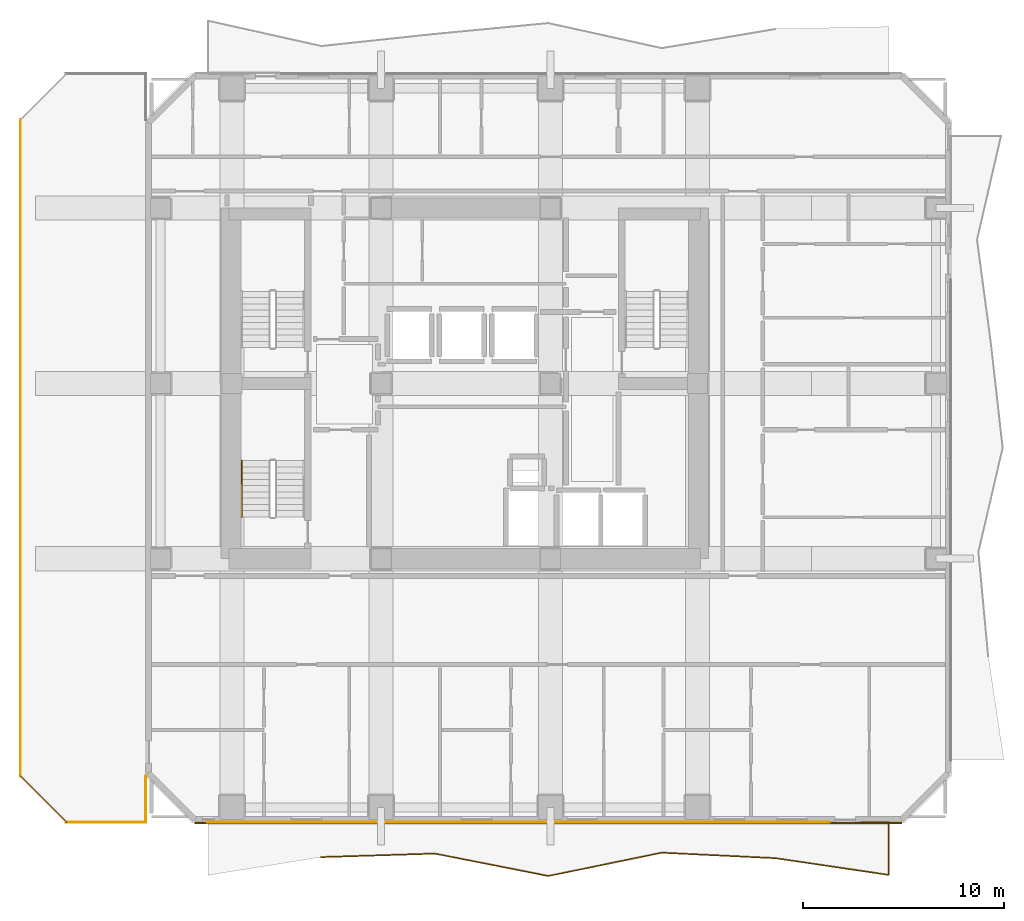
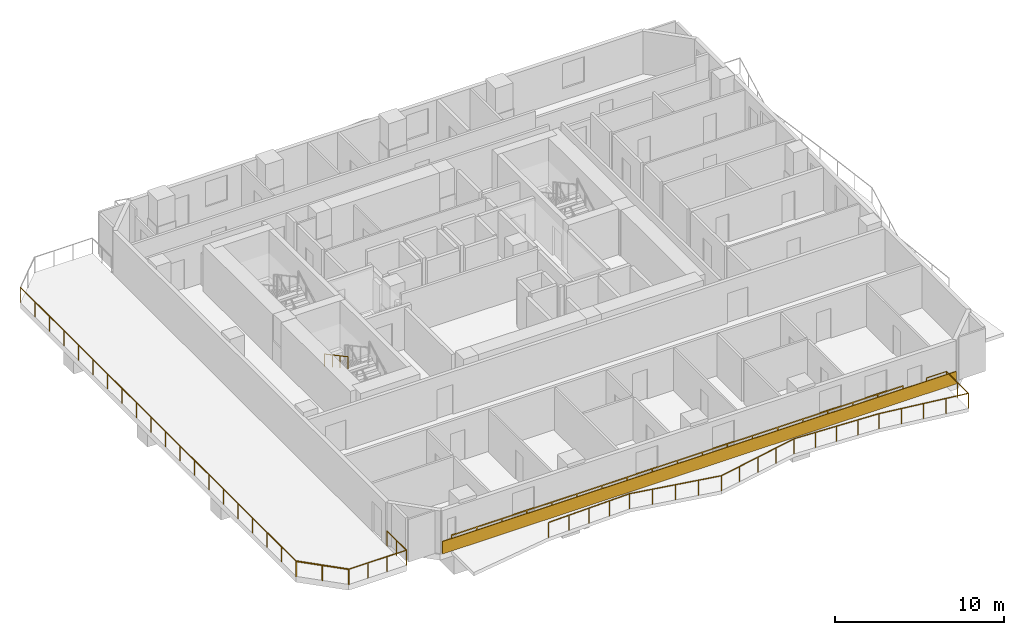
# One storey, part 8 of 10: 7 railings, 1 covering.
"""IFC4 building model written with IfcOpenShell, lengths in metres."""

from ifc_helpers import new_model, si_unit, direction, frame, frame_2d, origin, origin_2d, place, context, subcontext, project, spatial, rectangle, extrude, material, layer, layer_set, type_object, element, save


model = new_model("IFC4")

# Units and contexts
model_context = context("Model", 3, precision=1e-05, world=origin(), true_north=direction((0.0, 1.0)))
body_context = subcontext(model_context, "Body", "Model", "MODEL_VIEW")
ifc_project = project(units=[si_unit("LENGTHUNIT", "METRE"), si_unit("AREAUNIT", "SQUARE_METRE"), si_unit("VOLUMEUNIT", "CUBIC_METRE"), si_unit("PLANEANGLEUNIT", "RADIAN"), si_unit("MASSUNIT", "GRAM", prefix="KILO")], contexts=[model_context])

# Site, building, storey
site_placement = place(None, origin())
site = spatial("IfcSite", under=ifc_project, at=site_placement, CompositionType="ELEMENT")
building_placement = place(site_placement, origin())
building = spatial("IfcBuilding", under=site, at=building_placement, Name="Solanera Arch Residences", CompositionType="ELEMENT")
storey_placement = place(building_placement, frame((0.0, 0.0, 126.0)))
storey = spatial("IfcBuildingStorey", under=building, at=storey_placement, Name="L36", CompositionType="ELEMENT", Elevation=126.0)

# Railings
ifc_material_1 = material(Name="Steel S355 (ASTM A992 / A572 Grade 50)", Category="steel")
railing_type_1 = type_object("IfcRailingType", Name="Balustrade Railing BL-1100", PredefinedType="BALUSTRADE", material=ifc_material_1)
railing_1_placement = place(storey_placement, frame((17.8330078125, 7.18798828125, 0.0)))
element("IfcRailing", 1, at=railing_1_placement, inside=storey, type_object=railing_type_1, Name="L36 S Balcony Balustrade 1", PredefinedType="BALUSTRADE", context=body_context, shape_type="SweptSolid", body=[
    extrude(rectangle(XDim=0.048095703125, YDim=0.048095703125, at=origin_2d()), frame((0.0, 0.0, 1.09619140625), z_axis=(0.999523042626, 0.030881827334, 0.0), x_axis=(-0.030881827334, 0.999523042626, 0.0)), (0.0, 0.0, 1.0), 5.63671875),
    extrude(rectangle(XDim=0.048095703125, YDim=0.048095703125, at=origin_2d()), frame((5.634033203125, 0.174072265625, 1.09619140625), z_axis=(0.9810972978, -0.193515095665, 0.0), x_axis=(0.193515095665, 0.9810972978, 0.0)), (0.0, 0.0, 1.0), 5.74169921875),
    extrude(rectangle(XDim=0.048095703125, YDim=0.048095703125, at=origin_2d()), frame((11.26708984375, -0.93701171875, 1.09619140625), z_axis=(0.979583623756, 0.20103712112, 0.0), x_axis=(-0.20103712112, 0.979583623756, 0.0)), (0.0, 0.0, 1.0), 5.750244140625),
    extrude(rectangle(XDim=0.048095703125, YDim=0.048095703125, at=origin_2d()), frame((16.89990234375, 0.218994140625, 1.09619140625), z_axis=(0.998836882826, -0.048217025067, 0.0), x_axis=(0.048217025067, 0.998836882826, 0.0)), (0.0, 0.0, 1.0), 5.640625),
    extrude(rectangle(XDim=0.048095703125, YDim=0.048095703125, at=origin_2d()), frame((22.533935546875, -0.052978515625, 1.09619140625), z_axis=(0.989291682987, -0.145951930347, 0.0), x_axis=(0.145951930347, 0.989291682987, 0.0)), (0.0, 0.0, 1.0), 5.694091796875),
    extrude(rectangle(XDim=0.048095703125, YDim=0.048095703125, at=origin_2d()), frame((28.1669921875, -0.884033203125, 1.09619140625), z_axis=(0.0, 1.0, 0.0), x_axis=(-1.0, 0.0, 0.0)), (0.0, 0.0, 1.0), 2.615966796875),
    extrude(rectangle(XDim=0.048095703125, YDim=0.048095703125, at=origin_2d()), frame((28.1669921875, 1.73193359375, 1.09619140625), z_axis=(-1.0, 0.0, 0.0), x_axis=(0.0, -1.0, 0.0)), (0.0, 0.0, 1.0), 1.362060546875),
    extrude(rectangle(XDim=0.0419921875, YDim=0.0419921875, at=origin_2d()), origin(), (0.0, 0.0, 1.0), 1.072021484375),
    extrude(rectangle(XDim=0.0419921875, YDim=0.0419921875, at=origin_2d()), frame((1.408447265625, 0.04345703125, 0.0)), (0.0, 0.0, 1.0), 1.072021484375),
    extrude(rectangle(XDim=0.0419921875, YDim=0.0419921875, at=origin_2d()), frame((2.81689453125, 0.0869140625, 0.0)), (0.0, 0.0, 1.0), 1.072021484375),
    extrude(rectangle(XDim=0.0419921875, YDim=0.0419921875, at=origin_2d()), frame((4.2255859375, 0.130615234375, 0.0)), (0.0, 0.0, 1.0), 1.072021484375),
    extrude(rectangle(XDim=0.0419921875, YDim=0.0419921875, at=origin_2d()), frame((5.634033203125, 0.174072265625, 0.0)), (0.0, 0.0, 1.0), 1.072021484375),
    extrude(rectangle(XDim=0.0419921875, YDim=0.0419921875, at=origin_2d()), frame((7.042236328125, -0.103759765625, 0.0)), (0.0, 0.0, 1.0), 1.072021484375),
    extrude(rectangle(XDim=0.0419921875, YDim=0.0419921875, at=origin_2d()), frame((8.45068359375, -0.38134765625, 0.0)), (0.0, 0.0, 1.0), 1.072021484375),
    extrude(rectangle(XDim=0.0419921875, YDim=0.0419921875, at=origin_2d()), frame((9.85888671875, -0.6591796875, 0.0)), (0.0, 0.0, 1.0), 1.072021484375),
    extrude(rectangle(XDim=0.0419921875, YDim=0.0419921875, at=origin_2d()), frame((11.26708984375, -0.93701171875, 0.0)), (0.0, 0.0, 1.0), 1.072021484375),
    extrude(rectangle(XDim=0.0419921875, YDim=0.0419921875, at=origin_2d()), frame((12.67529296875, -0.64794921875, 0.0)), (0.0, 0.0, 1.0), 1.072021484375),
    extrude(rectangle(XDim=0.0419921875, YDim=0.0419921875, at=origin_2d()), frame((14.08349609375, -0.35888671875, 0.0)), (0.0, 0.0, 1.0), 1.072021484375),
    extrude(rectangle(XDim=0.0419921875, YDim=0.0419921875, at=origin_2d()), frame((15.49169921875, -0.070068359375, 0.0)), (0.0, 0.0, 1.0), 1.072021484375),
    extrude(rectangle(XDim=0.0419921875, YDim=0.0419921875, at=origin_2d()), frame((16.89990234375, 0.218994140625, 0.0)), (0.0, 0.0, 1.0), 1.072021484375),
    extrude(rectangle(XDim=0.0419921875, YDim=0.0419921875, at=origin_2d()), frame((18.308349609375, 0.15087890625, 0.0)), (0.0, 0.0, 1.0), 1.072021484375),
    extrude(rectangle(XDim=0.0419921875, YDim=0.0419921875, at=origin_2d()), frame((19.716796875, 0.0830078125, 0.0)), (0.0, 0.0, 1.0), 1.072021484375),
    extrude(rectangle(XDim=0.0419921875, YDim=0.0419921875, at=origin_2d()), frame((21.12548828125, 0.01513671875, 0.0)), (0.0, 0.0, 1.0), 1.072021484375),
    extrude(rectangle(XDim=0.0419921875, YDim=0.0419921875, at=origin_2d()), frame((22.533935546875, -0.052978515625, 0.0)), (0.0, 0.0, 1.0), 1.072021484375),
    extrude(rectangle(XDim=0.0419921875, YDim=0.0419921875, at=origin_2d()), frame((23.942138671875, -0.2607421875, 0.0)), (0.0, 0.0, 1.0), 1.072021484375),
    extrude(rectangle(XDim=0.0419921875, YDim=0.0419921875, at=origin_2d()), frame((25.3505859375, -0.468505859375, 0.0)), (0.0, 0.0, 1.0), 1.072021484375),
    extrude(rectangle(XDim=0.0419921875, YDim=0.0419921875, at=origin_2d()), frame((26.7587890625, -0.67626953125, 0.0)), (0.0, 0.0, 1.0), 1.072021484375),
    extrude(rectangle(XDim=0.0419921875, YDim=0.0419921875, at=origin_2d()), frame((28.1669921875, -0.884033203125, 0.0)), (0.0, 0.0, 1.0), 1.072021484375),
    extrude(rectangle(XDim=0.0419921875, YDim=0.0419921875, at=origin_2d()), frame((28.1669921875, 0.423828125, 0.0)), (0.0, 0.0, 1.0), 1.072021484375),
    extrude(rectangle(XDim=0.0419921875, YDim=0.0419921875, at=origin_2d()), frame((28.1669921875, 1.73193359375, 0.0)), (0.0, 0.0, 1.0), 1.072021484375),
    extrude(rectangle(XDim=0.0419921875, YDim=0.0419921875, at=origin_2d()), frame((26.804931640625, 1.73193359375, 0.0)), (0.0, 0.0, 1.0), 1.072021484375),
])
railing_2_placement = place(storey_placement, frame((43.0380859375, 8.919921875, 0.0)))
element("IfcRailing", 2, at=railing_2_placement, inside=storey, type_object=railing_type_1, Name="L36 S Balcony Balustrade 2", PredefinedType="BALUSTRADE", context=body_context, shape_type="SweptSolid", body=[
    extrude(rectangle(XDim=0.048095703125, YDim=0.048095703125, at=origin_2d()), frame((0.0, 0.0, 1.09619140625), z_axis=(-1.0, 0.0, 0.0), x_axis=(0.0, -1.0, 0.0)), (0.0, 0.0, 1.0), 30.838134765625),
    extrude(rectangle(XDim=0.0419921875, YDim=0.0419921875, at=origin_2d()), origin(), (0.0, 0.0, 1.0), 1.072021484375),
    extrude(rectangle(XDim=0.0419921875, YDim=0.0419921875, at=origin_2d()), frame((-1.713134765625, 0.0, 0.0)), (0.0, 0.0, 1.0), 1.072021484375),
    extrude(rectangle(XDim=0.0419921875, YDim=0.0419921875, at=origin_2d()), frame((-3.426513671875, 0.0, 0.0)), (0.0, 0.0, 1.0), 1.072021484375),
    extrude(rectangle(XDim=0.0419921875, YDim=0.0419921875, at=origin_2d()), frame((-5.1396484375, 0.0, 0.0)), (0.0, 0.0, 1.0), 1.072021484375),
    extrude(rectangle(XDim=0.0419921875, YDim=0.0419921875, at=origin_2d()), frame((-6.85302734375, 0.0, 0.0)), (0.0, 0.0, 1.0), 1.072021484375),
    extrude(rectangle(XDim=0.0419921875, YDim=0.0419921875, at=origin_2d()), frame((-8.566162109375, 0.0, 0.0)), (0.0, 0.0, 1.0), 1.072021484375),
    extrude(rectangle(XDim=0.0419921875, YDim=0.0419921875, at=origin_2d()), frame((-10.279296875, 0.0, 0.0)), (0.0, 0.0, 1.0), 1.072021484375),
    extrude(rectangle(XDim=0.0419921875, YDim=0.0419921875, at=origin_2d()), frame((-11.99267578125, 0.0, 0.0)), (0.0, 0.0, 1.0), 1.072021484375),
    extrude(rectangle(XDim=0.0419921875, YDim=0.0419921875, at=origin_2d()), frame((-13.705810546875, 0.0, 0.0)), (0.0, 0.0, 1.0), 1.072021484375),
    extrude(rectangle(XDim=0.0419921875, YDim=0.0419921875, at=origin_2d()), frame((-15.4189453125, 0.0, 0.0)), (0.0, 0.0, 1.0), 1.072021484375),
    extrude(rectangle(XDim=0.0419921875, YDim=0.0419921875, at=origin_2d()), frame((-17.13232421875, 0.0, 0.0)), (0.0, 0.0, 1.0), 1.072021484375),
    extrude(rectangle(XDim=0.0419921875, YDim=0.0419921875, at=origin_2d()), frame((-18.845458984375, 0.0, 0.0)), (0.0, 0.0, 1.0), 1.072021484375),
    extrude(rectangle(XDim=0.0419921875, YDim=0.0419921875, at=origin_2d()), frame((-20.558837890625, 0.0, 0.0)), (0.0, 0.0, 1.0), 1.072021484375),
    extrude(rectangle(XDim=0.0419921875, YDim=0.0419921875, at=origin_2d()), frame((-22.27197265625, 0.0, 0.0)), (0.0, 0.0, 1.0), 1.072021484375),
    extrude(rectangle(XDim=0.0419921875, YDim=0.0419921875, at=origin_2d()), frame((-23.985107421875, 0.0, 0.0)), (0.0, 0.0, 1.0), 1.072021484375),
    extrude(rectangle(XDim=0.0419921875, YDim=0.0419921875, at=origin_2d()), frame((-25.698486328125, 0.0, 0.0)), (0.0, 0.0, 1.0), 1.072021484375),
    extrude(rectangle(XDim=0.0419921875, YDim=0.0419921875, at=origin_2d()), frame((-27.41162109375, 0.0, 0.0)), (0.0, 0.0, 1.0), 1.072021484375),
    extrude(rectangle(XDim=0.0419921875, YDim=0.0419921875, at=origin_2d()), frame((-29.125, 0.0, 0.0)), (0.0, 0.0, 1.0), 1.072021484375),
    extrude(rectangle(XDim=0.0419921875, YDim=0.0419921875, at=origin_2d()), frame((-30.838134765625, 0.0, 0.0)), (0.0, 0.0, 1.0), 1.072021484375),
])
railing_3_placement = place(storey_placement, frame((5.179931640625, 8.919921875, 0.0)))
element("IfcRailing", 3, at=railing_3_placement, inside=storey, type_object=railing_type_1, Name="L36 Sky Terrace Guardrail 1", PredefinedType="BALUSTRADE", context=body_context, shape_type="SweptSolid", body=[
    extrude(rectangle(XDim=0.048095703125, YDim=0.048095703125, at=origin_2d()), frame((0.0, 0.0, 1.09619140625), z_axis=(1.0, 0.0, 0.0), x_axis=(0.0, 1.0, 0.0)), (0.0, 0.0, 1.0), 3.940185546875),
    extrude(rectangle(XDim=0.0419921875, YDim=0.0419921875, at=origin_2d()), origin(), (0.0, 0.0, 1.0), 1.072021484375),
    extrude(rectangle(XDim=0.0419921875, YDim=0.0419921875, at=origin_2d()), frame((1.3134765625, 0.0, 0.0)), (0.0, 0.0, 1.0), 1.072021484375),
    extrude(rectangle(XDim=0.0419921875, YDim=0.0419921875, at=origin_2d()), frame((2.626708984375, 0.0, 0.0)), (0.0, 0.0, 1.0), 1.072021484375),
    extrude(rectangle(XDim=0.0419921875, YDim=0.0419921875, at=origin_2d()), frame((3.940185546875, 0.0, 0.0)), (0.0, 0.0, 1.0), 1.072021484375),
])
railing_4_placement = place(storey_placement, frame((9.1201171875, 8.919921875, 0.0)))
element("IfcRailing", 4, at=railing_4_placement, inside=storey, type_object=railing_type_1, Name="L36 Sky Terrace Guardrail 1", PredefinedType="BALUSTRADE", context=body_context, shape_type="SweptSolid", body=[
    extrude(rectangle(XDim=0.048095703125, YDim=0.048095703125, at=origin_2d()), frame((0.0, 0.0, 1.09619140625), z_axis=(0.0, 1.0, 0.0), x_axis=(-1.0, 0.0, 0.0)), (0.0, 0.0, 1.0), 2.2880859375),
    extrude(rectangle(XDim=0.0419921875, YDim=0.0419921875, at=origin_2d()), origin(), (0.0, 0.0, 1.0), 1.072021484375),
    extrude(rectangle(XDim=0.0419921875, YDim=0.0419921875, at=origin_2d()), frame((0.0, 1.14404296875, 0.0)), (0.0, 0.0, 1.0), 1.072021484375),
    extrude(rectangle(XDim=0.0419921875, YDim=0.0419921875, at=origin_2d()), frame((0.0, 2.2880859375, 0.0)), (0.0, 0.0, 1.0), 1.072021484375),
])
railing_5_placement = place(storey_placement, frame((2.89990234375, 43.800048828125, 0.0)))
element("IfcRailing", 5, at=railing_5_placement, inside=storey, type_object=railing_type_1, Name="L36 Sky Terrace Guardrail 1", PredefinedType="BALUSTRADE", context=body_context, shape_type="SweptSolid", body=[
    extrude(rectangle(XDim=0.048095703125, YDim=0.048095703125, at=origin_2d()), frame((0.0, 0.0, 1.09619140625), z_axis=(0.0, -1.0, 0.0), x_axis=(1.0, 0.0, 0.0)), (0.0, 0.0, 1.0), 32.60009765625),
    extrude(rectangle(XDim=0.0419921875, YDim=0.0419921875, at=origin_2d()), origin(), (0.0, 0.0, 1.0), 1.072021484375),
    extrude(rectangle(XDim=0.0419921875, YDim=0.0419921875, at=origin_2d()), frame((0.0, -1.7158203125, 0.0)), (0.0, 0.0, 1.0), 1.072021484375),
    extrude(rectangle(XDim=0.0419921875, YDim=0.0419921875, at=origin_2d()), frame((0.0, -3.431640625, 0.0)), (0.0, 0.0, 1.0), 1.072021484375),
    extrude(rectangle(XDim=0.0419921875, YDim=0.0419921875, at=origin_2d()), frame((0.0, -5.1474609375, 0.0)), (0.0, 0.0, 1.0), 1.072021484375),
    extrude(rectangle(XDim=0.0419921875, YDim=0.0419921875, at=origin_2d()), frame((0.0, -6.86328125, 0.0)), (0.0, 0.0, 1.0), 1.072021484375),
    extrude(rectangle(XDim=0.0419921875, YDim=0.0419921875, at=origin_2d()), frame((0.0, -8.578857421875, 0.0)), (0.0, 0.0, 1.0), 1.072021484375),
    extrude(rectangle(XDim=0.0419921875, YDim=0.0419921875, at=origin_2d()), frame((0.0, -10.294677734375, 0.0)), (0.0, 0.0, 1.0), 1.072021484375),
    extrude(rectangle(XDim=0.0419921875, YDim=0.0419921875, at=origin_2d()), frame((0.0, -12.010498046875, 0.0)), (0.0, 0.0, 1.0), 1.072021484375),
    extrude(rectangle(XDim=0.0419921875, YDim=0.0419921875, at=origin_2d()), frame((0.0, -13.726318359375, 0.0)), (0.0, 0.0, 1.0), 1.072021484375),
    extrude(rectangle(XDim=0.0419921875, YDim=0.0419921875, at=origin_2d()), frame((0.0, -15.442138671875, 0.0)), (0.0, 0.0, 1.0), 1.072021484375),
    extrude(rectangle(XDim=0.0419921875, YDim=0.0419921875, at=origin_2d()), frame((0.0, -17.157958984375, 0.0)), (0.0, 0.0, 1.0), 1.072021484375),
    extrude(rectangle(XDim=0.0419921875, YDim=0.0419921875, at=origin_2d()), frame((0.0, -18.873779296875, 0.0)), (0.0, 0.0, 1.0), 1.072021484375),
    extrude(rectangle(XDim=0.0419921875, YDim=0.0419921875, at=origin_2d()), frame((0.0, -20.589599609375, 0.0)), (0.0, 0.0, 1.0), 1.072021484375),
    extrude(rectangle(XDim=0.0419921875, YDim=0.0419921875, at=origin_2d()), frame((0.0, -22.305419921875, 0.0)), (0.0, 0.0, 1.0), 1.072021484375),
    extrude(rectangle(XDim=0.0419921875, YDim=0.0419921875, at=origin_2d()), frame((0.0, -24.021240234375, 0.0)), (0.0, 0.0, 1.0), 1.072021484375),
    extrude(rectangle(XDim=0.0419921875, YDim=0.0419921875, at=origin_2d()), frame((0.0, -25.73681640625, 0.0)), (0.0, 0.0, 1.0), 1.072021484375),
    extrude(rectangle(XDim=0.0419921875, YDim=0.0419921875, at=origin_2d()), frame((0.0, -27.45263671875, 0.0)), (0.0, 0.0, 1.0), 1.072021484375),
    extrude(rectangle(XDim=0.0419921875, YDim=0.0419921875, at=origin_2d()), frame((0.0, -29.16845703125, 0.0)), (0.0, 0.0, 1.0), 1.072021484375),
    extrude(rectangle(XDim=0.0419921875, YDim=0.0419921875, at=origin_2d()), frame((0.0, -30.88427734375, 0.0)), (0.0, 0.0, 1.0), 1.072021484375),
    extrude(rectangle(XDim=0.0419921875, YDim=0.0419921875, at=origin_2d()), frame((0.0, -32.60009765625, 0.0)), (0.0, 0.0, 1.0), 1.072021484375),
])
railing_6_placement = place(storey_placement, frame((2.89990234375, 11.199951171875, 0.0)))
element("IfcRailing", 6, at=railing_6_placement, inside=storey, type_object=railing_type_1, Name="L36 Sky Terrace Guardrail 1", PredefinedType="BALUSTRADE", context=body_context, shape_type="SweptSolid", body=[
    extrude(rectangle(XDim=0.048095703125, YDim=0.048095703125, at=origin_2d()), frame((0.0, 0.0, 1.09619140625), z_axis=(0.707106781187, -0.707106781187, 0.0), x_axis=(0.707106781187, 0.707106781187, 0.0)), (0.0, 0.0, 1.0), 3.224365234375),
    extrude(rectangle(XDim=0.0419921875, YDim=0.0419921875, at=origin_2d()), origin(), (0.0, 0.0, 1.0), 1.072021484375),
    extrude(rectangle(XDim=0.0419921875, YDim=0.0419921875, at=origin_2d()), frame((1.14013671875, -1.14013671875, 0.0)), (0.0, 0.0, 1.0), 1.072021484375),
    extrude(rectangle(XDim=0.0419921875, YDim=0.0419921875, at=origin_2d()), frame((2.280029296875, -2.280029296875, 0.0)), (0.0, 0.0, 1.0), 1.072021484375),
])

# Covering
ifc_material_2 = material(Name="Philippine Adobe Travertine Cladding", Category="masonry")
ifc_layer = layer(ifc_material_2, 0.06005859375)
ifc_layer_set = layer_set([ifc_layer], Name="Philippine Adobe Travertine Cladding")
covering_type = type_object("IfcCoveringType", Name="Precast Pier Stone Cladding CLD-60", PredefinedType="CLADDING", material=ifc_layer_set)
covering_placement = place(storey_placement, frame((46.64501953125, 8.885009765625, 0.0), z_axis=(0.0, 0.0, 1.0), x_axis=(-1.0, 0.0, 0.0)))
element("IfcCovering", 7, at=covering_placement, inside=storey, type_object=covering_type, Name="L36 S Precast Spandrel Stone Band", PredefinedType="CLADDING", context=body_context, shape_type="SweptSolid", body=[
    extrude(rectangle(XDim=35.090087890625, YDim=0.06005859375, at=frame_2d((17.544921875, 0.0))), origin(), (0.0, 0.0, 1.0), 0.89990234375),
])

# Railing
ifc_material_3 = material(Name="Steel S355 (ASTM A992 / A572 Grade 50)", Category="steel")
railing_type_2 = type_object("IfcRailingType", Name="Stair Wall Handrail HR-920", PredefinedType="HANDRAIL", material=ifc_material_3)
railing_7_placement = place(storey_placement, frame((13.889892578125, 26.8701171875, 1.825927734375)))
element("IfcRailing", 8, at=railing_7_placement, inside=storey, type_object=railing_type_2, Name="L36 ST-T3 stair handrail 2", PredefinedType="HANDRAIL", context=body_context, shape_type="SweptSolid", body=[
    extrude(rectangle(XDim=0.048095703125, YDim=0.048095703125, at=origin_2d()), frame((0.0, 0.0, 0.8759765625), z_axis=(0.0, -0.881548766853, 0.472092969298), x_axis=(1.0, 0.0, 0.0)), (0.0, 0.0, 1.0), 3.1650390625),
    extrude(rectangle(XDim=0.0419921875, YDim=0.0419921875, at=origin_2d()), origin(), (0.0, 0.0, 1.0), 0.851806640625),
    extrude(rectangle(XDim=0.0419921875, YDim=0.0419921875, at=origin_2d()), frame((0.0, -0.929931640625, 0.498046875)), (0.0, 0.0, 1.0), 0.851806640625),
    extrude(rectangle(XDim=0.0419921875, YDim=0.0419921875, at=origin_2d()), frame((0.0, -1.860107421875, 0.99609375)), (0.0, 0.0, 1.0), 0.851806640625),
    extrude(rectangle(XDim=0.0419921875, YDim=0.0419921875, at=origin_2d()), frame((0.0, -2.7900390625, 1.494140625)), (0.0, 0.0, 1.0), 0.851806640625),
])

save(model, "model.ifc")
